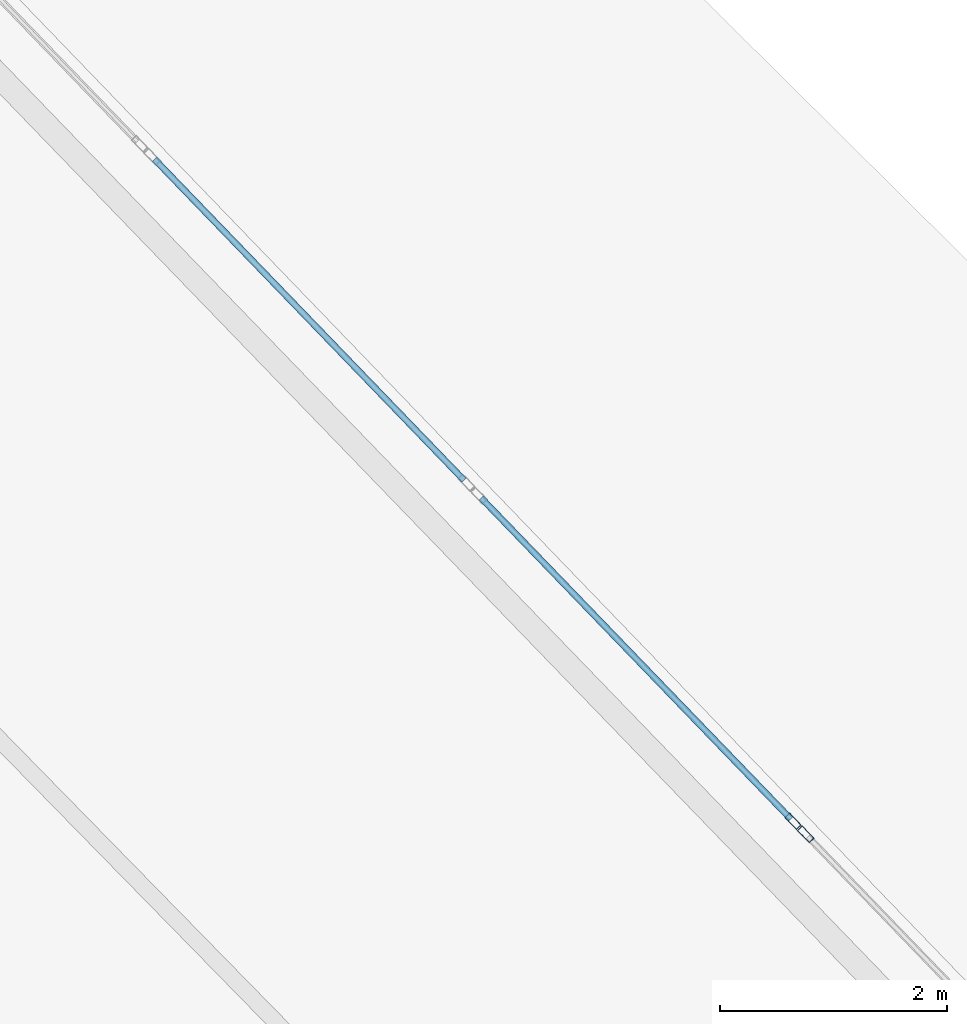
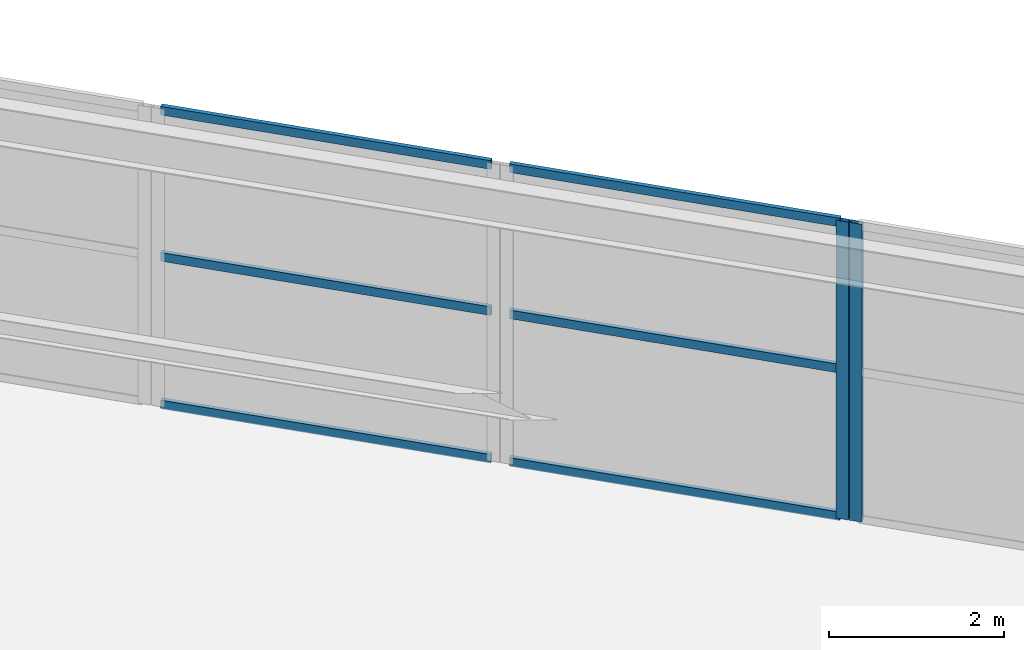
# One storey, part 86 of 126: 8 members, 3 elements without a shape of their own.
"""IFC4 building model written with IfcOpenShell, lengths in metres."""

from ifc_helpers import new_model, si_unit, direction, frame, origin, origin_2d, place, context, subcontext, project, spatial, hollow_rectangle, extrude, material, layer, layer_set, material_profile, profile_set, type_object, element, aggregate, save


model = new_model("IFC4")

# Units and contexts
model_context = context("Model", 3, precision=1e-05, world=origin(), true_north=direction((0.0, 1.0)))
body_context = subcontext(model_context, "Body", "Model", "MODEL_VIEW")
ifc_project = project(units=[si_unit("LENGTHUNIT", "METRE"), si_unit("AREAUNIT", "SQUARE_METRE"), si_unit("VOLUMEUNIT", "CUBIC_METRE"), si_unit("PLANEANGLEUNIT", "RADIAN"), si_unit("MASSUNIT", "GRAM", prefix="KILO")], contexts=[model_context])

# Site, building, storey
site_placement = place(None, origin())
site = spatial("IfcSite", under=ifc_project, at=site_placement, CompositionType="ELEMENT")
building_placement = place(site_placement, origin())
building = spatial("IfcBuilding", under=site, at=building_placement, Name="Kalgoora Escarpment Arena", CompositionType="ELEMENT")
storey_placement = place(building_placement, frame((0.0, 0.0, 18.89990234375)))
storey = spatial("IfcBuildingStorey", under=building, at=storey_placement, Name="L04", CompositionType="ELEMENT", Elevation=18.89990234375)

# Curtain wall, member
ifc_material_1 = material(Name=" Champagne anodised aluminium & double-glazed low-E", Category="aluminium")
ifc_layer_1 = layer(ifc_material_1, 0.157958984375)
ifc_layer_set_1 = layer_set([ifc_layer_1], Name="CW-UNIT-17")
curtain_wall_type_1 = type_object("IfcCurtainWallType", Name="CW-UNIT-17", PredefinedType="NOTDEFINED", material=ifc_layer_set_1)
curtain_wall_1_placement = place(storey_placement, origin())
curtain_wall_1 = element("IfcCurtainWall", 1, at=curtain_wall_1_placement, inside=storey, type_object=curtain_wall_type_1, Name="L04 unitised facade curtain wall 176", PredefinedType="NOTDEFINED")
ifc_material_2 = material(Name="Anodised aluminium 6063-T6", Category="aluminium")
ifc_material_profile_1 = material_profile(ifc_material_2, hollow_rectangle(XDim=0.06005859375, YDim=0.14990234375, WallThickness=0.00341796875, at=origin_2d()))
ifc_profile_set_1 = profile_set([ifc_material_profile_1], Name="Anodised aluminium 6063-T6")
member_type_1 = type_object("IfcMemberType", Name="MEM-CW-MULL-150", PredefinedType="MULLION", material=ifc_profile_set_1)
member_1_placement = place(storey_placement, frame((152.081787109375, 95.756591796875, 0.02001953125), z_axis=(0.0, 0.0, 1.0), x_axis=(0.719777208849, 0.694205135116, 0.0)))
member_1 = element("IfcMember", 2, at=member_1_placement, type_object=member_type_1, Name="CW-17 mullion 2", PredefinedType="MULLION", context=body_context, shape_type="SweptSolid", body=[
    extrude(hollow_rectangle(XDim=0.06005859375, YDim=0.14990234375, WallThickness=0.00341796875, at=origin_2d()), origin(), (0.0, 0.0, 1.0), 4.150146484375),
])

ifc_material_3 = material(Name=" Champagne anodised aluminium & double-glazed low-E", Category="aluminium")
ifc_layer_2 = layer(ifc_material_3, 0.162109375)
ifc_layer_set_2 = layer_set([ifc_layer_2], Name="CW-UNIT-18")
curtain_wall_type_2 = type_object("IfcCurtainWallType", Name="CW-UNIT-18", PredefinedType="NOTDEFINED", material=ifc_layer_set_2)
curtain_wall_2_placement = place(storey_placement, origin())
curtain_wall_2 = element("IfcCurtainWall", 3, at=curtain_wall_2_placement, inside=storey, type_object=curtain_wall_type_2, Name="L04 unitised facade curtain wall 177", PredefinedType="NOTDEFINED")
member_2_placement = place(storey_placement, frame((152.19287109375, 95.6416015625, 0.02001953125), z_axis=(0.0, 0.0, 1.0), x_axis=(0.719779772297, 0.69420247723, 0.0)))
member_2 = element("IfcMember", 4, at=member_2_placement, type_object=member_type_1, Name="CW-18 mullion 1", PredefinedType="MULLION", context=body_context, shape_type="SweptSolid", body=[
    extrude(hollow_rectangle(XDim=0.06005859375, YDim=0.14990234375, WallThickness=0.00341796875, at=origin_2d()), origin(), (0.0, 0.0, 1.0), 4.150146484375),
])
aggregate(curtain_wall_2, [member_2])

# Curtain wall, members
ifc_material_4 = material(Name=" Champagne anodised aluminium & double-glazed low-E", Category="aluminium")
ifc_layer_3 = layer(ifc_material_4, 0.154052734375)
ifc_layer_set_3 = layer_set([ifc_layer_3], Name="CW-UNIT-16")
curtain_wall_type_3 = type_object("IfcCurtainWallType", Name="CW-UNIT-16", PredefinedType="NOTDEFINED", material=ifc_layer_set_3)
curtain_wall_3_placement = place(storey_placement, origin())
curtain_wall_3 = element("IfcCurtainWall", 5, at=curtain_wall_3_placement, inside=storey, type_object=curtain_wall_type_3, Name="L04 unitised facade curtain wall 175", PredefinedType="NOTDEFINED")
ifc_material_5 = material(Name="Anodised aluminium 6063-T6", Category="aluminium")
ifc_material_profile_2 = material_profile(ifc_material_5, hollow_rectangle(XDim=0.054931640625, YDim=0.1201171875, WallThickness=0.003173828125, at=origin_2d()))
ifc_profile_set_2 = profile_set([ifc_material_profile_2], Name="Anodised aluminium 6063-T6")
member_type_2 = type_object("IfcMemberType", Name="MEM-CW-TRAN-120", PredefinedType="USERDEFINED", material=ifc_profile_set_2)
member_3_placement = place(storey_placement, frame((146.4609375, 101.584716796875, 0.047607421875), z_axis=(0.694172418863, -0.719808761331, 0.0), x_axis=(0.719808761331, 0.694172418863, 0.0)))
member_3 = element("IfcMember", 6, at=member_3_placement, type_object=member_type_2, Name="CW-16 transom 1.1", ObjectType="TRANSOM", PredefinedType="USERDEFINED", context=body_context, shape_type="SweptSolid", body=[
    extrude(hollow_rectangle(XDim=0.054931640625, YDim=0.1201171875, WallThickness=0.003173828125, at=origin_2d()), origin(), (0.0, 0.0, 1.0), 3.923583984375),
])
member_4_placement = place(storey_placement, frame((146.4609375, 101.584716796875, 2.10498046875), z_axis=(0.694172418863, -0.719808761331, 0.0), x_axis=(0.719808761331, 0.694172418863, 0.0)))
member_4 = element("IfcMember", 7, at=member_4_placement, type_object=member_type_2, Name="CW-16 transom 1.2", ObjectType="TRANSOM", PredefinedType="USERDEFINED", context=body_context, shape_type="SweptSolid", body=[
    extrude(hollow_rectangle(XDim=0.054931640625, YDim=0.1201171875, WallThickness=0.003173828125, at=origin_2d()), origin(), (0.0, 0.0, 1.0), 3.923583984375),
])
member_5_placement = place(storey_placement, frame((146.4609375, 101.584716796875, 4.142578125), z_axis=(0.694172418863, -0.719808761331, 0.0), x_axis=(0.719808761331, 0.694172418863, 0.0)))
member_5 = element("IfcMember", 8, at=member_5_placement, type_object=member_type_2, Name="CW-16 transom 1.3", ObjectType="TRANSOM", PredefinedType="USERDEFINED", context=body_context, shape_type="SweptSolid", body=[
    extrude(hollow_rectangle(XDim=0.054931640625, YDim=0.1201171875, WallThickness=0.003173828125, at=origin_2d()), origin(), (0.0, 0.0, 1.0), 3.923583984375),
])
aggregate(curtain_wall_3, [member_3, member_4, member_5])

# Member
member_6_placement = place(storey_placement, frame((149.33740234375, 98.602294921875, 0.047607421875), z_axis=(0.694172418863, -0.719808761331, 0.0), x_axis=(0.719808761331, 0.694172418863, 0.0)))
member_6 = element("IfcMember", 9, at=member_6_placement, type_object=member_type_2, Name="CW-17 transom 1.1", ObjectType="TRANSOM", PredefinedType="USERDEFINED", context=body_context, shape_type="SweptSolid", body=[
    extrude(hollow_rectangle(XDim=0.054931640625, YDim=0.1201171875, WallThickness=0.003173828125, at=origin_2d()), origin(), (0.0, 0.0, 1.0), 3.923583984375),
])

member_7_placement = place(storey_placement, frame((149.33740234375, 98.602294921875, 2.10498046875), z_axis=(0.694172418863, -0.719808761331, 0.0), x_axis=(0.719808761331, 0.694172418863, 0.0)))
member_7 = element("IfcMember", 10, at=member_7_placement, type_object=member_type_2, Name="CW-17 transom 1.2", ObjectType="TRANSOM", PredefinedType="USERDEFINED", context=body_context, shape_type="SweptSolid", body=[
    extrude(hollow_rectangle(XDim=0.054931640625, YDim=0.1201171875, WallThickness=0.003173828125, at=origin_2d()), origin(), (0.0, 0.0, 1.0), 3.923583984375),
])

member_8_placement = place(storey_placement, frame((149.33740234375, 98.602294921875, 4.142578125), z_axis=(0.694172418863, -0.719808761331, 0.0), x_axis=(0.719808761331, 0.694172418863, 0.0)))
member_8 = element("IfcMember", 11, at=member_8_placement, type_object=member_type_2, Name="CW-17 transom 1.3", ObjectType="TRANSOM", PredefinedType="USERDEFINED", context=body_context, shape_type="SweptSolid", body=[
    extrude(hollow_rectangle(XDim=0.054931640625, YDim=0.1201171875, WallThickness=0.003173828125, at=origin_2d()), origin(), (0.0, 0.0, 1.0), 3.923583984375),
])

aggregate(curtain_wall_1, [member_1, member_6, member_7, member_8])

save(model, "model.ifc")
